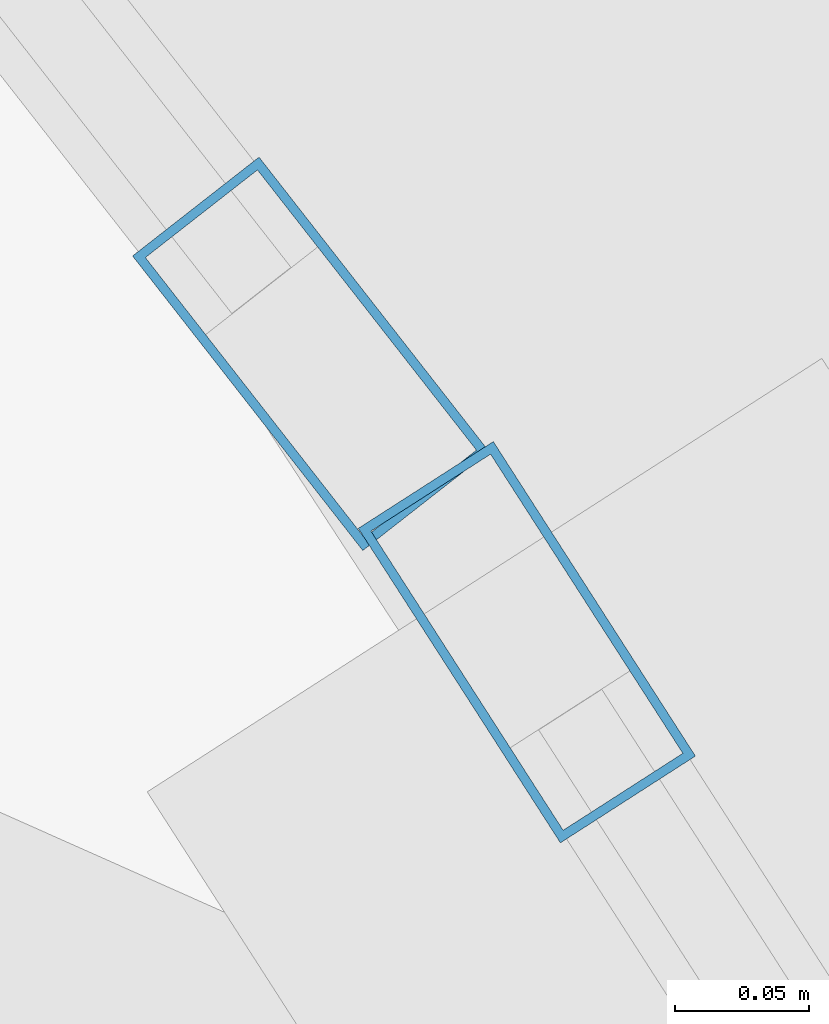
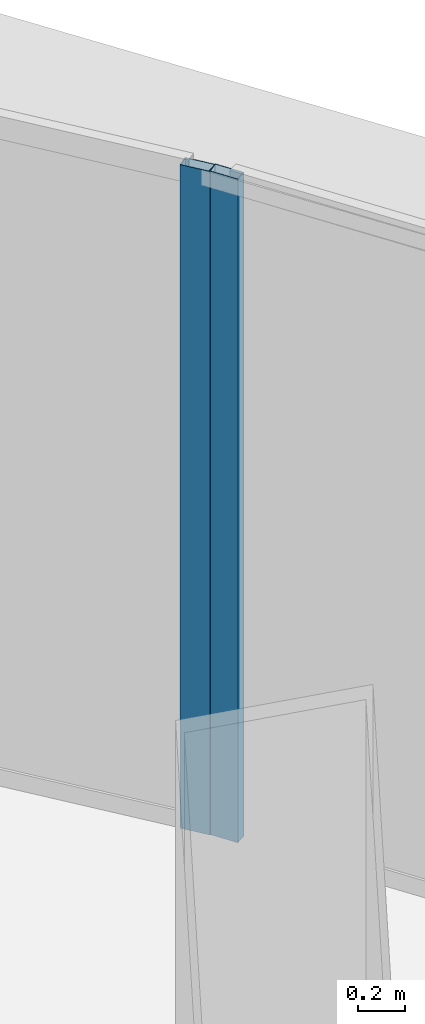
# One storey, part 25 of 36: 2 members, 2 elements without a shape of their own.
"""IFC4 building model written with IfcOpenShell, lengths in metres."""

from ifc_helpers import new_model, si_unit, direction, frame, origin, origin_2d, place, context, subcontext, project, spatial, hollow_rectangle, extrude, source, transform, mapped, material, layer, layer_set, material_profile, profile_set, type_object, element, aggregate, save


model = new_model("IFC4")

# Units and contexts
model_context = context("Model", 3, precision=1e-05, world=origin(), true_north=direction((0.0, 1.0)))
body_context = subcontext(model_context, "Body", "Model", "MODEL_VIEW")
ifc_project = project(units=[si_unit("LENGTHUNIT", "METRE"), si_unit("AREAUNIT", "SQUARE_METRE"), si_unit("VOLUMEUNIT", "CUBIC_METRE"), si_unit("PLANEANGLEUNIT", "RADIAN"), si_unit("MASSUNIT", "GRAM", prefix="KILO"), si_unit("THERMODYNAMICTEMPERATUREUNIT", "KELVIN"), si_unit("POWERUNIT", "WATT")], contexts=[model_context])

# Site, building, storey
site_placement = place(None, origin())
site = spatial("IfcSite", under=ifc_project, at=site_placement, CompositionType="ELEMENT")
building_placement = place(site_placement, origin())
building = spatial("IfcBuilding", under=site, at=building_placement, Name="Yunzhuo Pagoda Commons", CompositionType="ELEMENT")
storey_placement = place(building_placement, frame((0.0, 0.0, 244.530029296875)))
storey = spatial("IfcBuildingStorey", under=building, at=storey_placement, Name="L61", CompositionType="ELEMENT", Elevation=244.530029296875)

# Curtain wall, member
ifc_material = material(Name="Anodized aluminium 6063-T6", Category="aluminium")
ifc_layer = layer(ifc_material, 0.139892578125)
ifc_layer_set = layer_set([ifc_layer], Name="Anodized aluminium 6063-T6")
curtain_wall_type = type_object("IfcCurtainWallType", Name="CW-HI High-Zone Ribbon Curtain Wall", PredefinedType="NOTDEFINED", material=ifc_layer_set)
curtain_wall_1_placement = place(storey_placement, origin())
curtain_wall_1 = element("IfcCurtainWall", 1, at=curtain_wall_1_placement, inside=storey, type_object=curtain_wall_type, Name="L61 curtain wall CW-L61-F2B4", PredefinedType="NOTDEFINED")
ifc_material_profile = material_profile(ifc_material, hollow_rectangle(XDim=0.06005859375, YDim=0.139892578125, WallThickness=0.00341796875, at=origin_2d()), Name="Anodized aluminium 6063-T6")
ifc_profile_set = profile_set([ifc_material_profile], Name="Anodized aluminium 6063-T6")
member_type = type_object("IfcMemberType", Name="CW-HI-M Mullion RHS 140x60x3.5", PredefinedType="MULLION", material=ifc_profile_set)
shared_shape = source(origin(), body_context, "Body", "SweptSolid", [
    extrude(hollow_rectangle(XDim=0.06005859375, YDim=0.139892578125, WallThickness=0.00341796875, at=origin_2d()), origin(), (0.0, 0.0, 1.0), 3.469970703125),
])
member_1_placement = place(storey_placement, frame((62.49609375, 66.197265625, 0.0), z_axis=(0.0, 0.0, 1.0), x_axis=(-0.841269037614, -0.540616690782, 0.0)))
member_1 = element("IfcMember", 2, at=member_1_placement, type_object=member_type, Name="CW mullion 2", PredefinedType="MULLION", context=body_context, shape_type="MappedRepresentation", body=[
    mapped(shared_shape, transform((0.0, 0.0, 0.0), scale=1.0)),
])
aggregate(curtain_wall_1, [member_1])

curtain_wall_2_placement = place(storey_placement, origin())
curtain_wall_2 = element("IfcCurtainWall", 3, at=curtain_wall_2_placement, inside=storey, type_object=curtain_wall_type, Name="L61 curtain wall CW-L61-F2B5", PredefinedType="NOTDEFINED")
member_2_placement = place(storey_placement, frame((62.415283203125, 66.30517578125, 0.0), z_axis=(0.0, 0.0, 1.0), x_axis=(-0.787911077131, -0.615789034114, 0.0)))
member_2 = element("IfcMember", 4, at=member_2_placement, type_object=member_type, Name="CW mullion 1", PredefinedType="MULLION", context=body_context, shape_type="MappedRepresentation", body=[
    mapped(shared_shape, transform((0.0, 0.0, 0.0), scale=1.0)),
])
aggregate(curtain_wall_2, [member_2])

save(model, "model.ifc")
